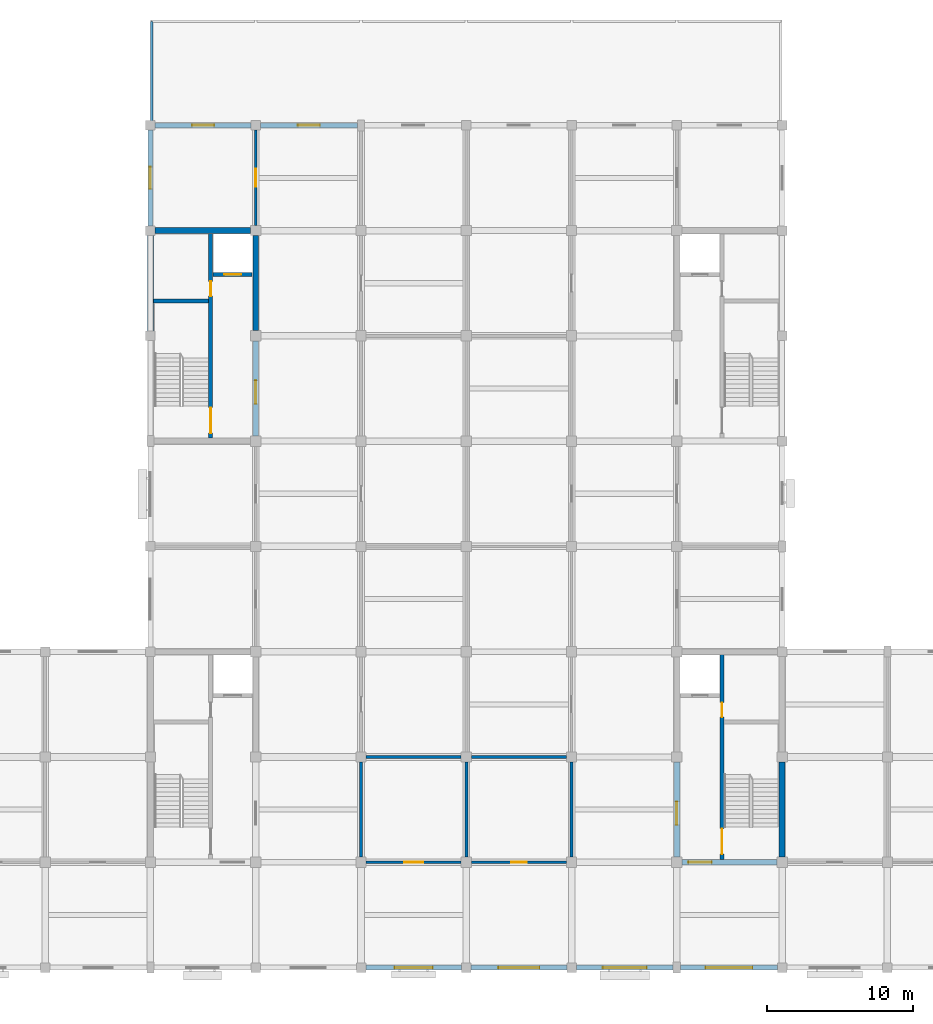
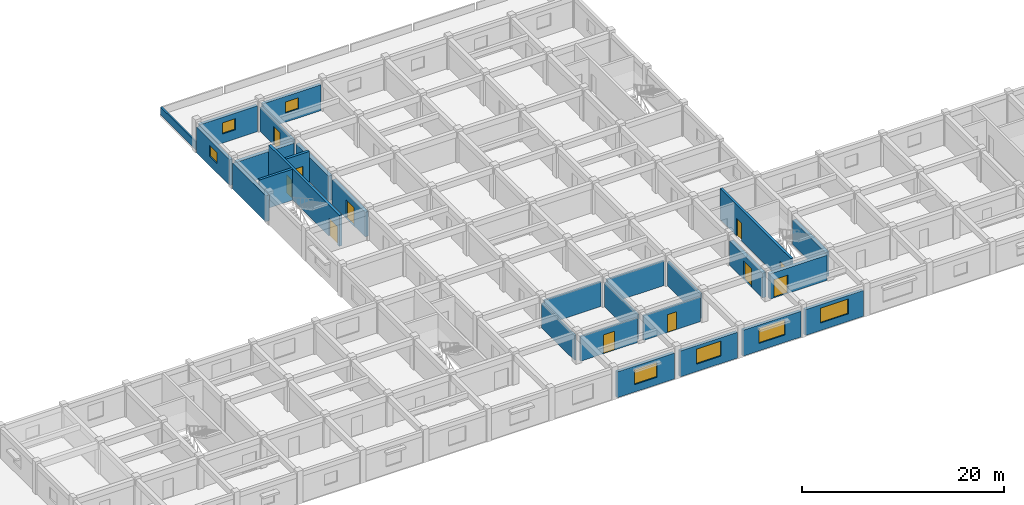
# One storey, part 6 of 16: 27 walls, 11 doors, 7 windows, 18 openings.
"""IFC4 building model written with IfcOpenShell, lengths in metres."""

from ifc_helpers import new_model, si_unit, direction, frame, frame_2d, origin, place, context, subcontext, project, spatial, rectangle, extrude, material, layer, layer_set, type_object, element, fill, save


model = new_model("IFC4")

# Units and contexts
model_context = context("Model", 3, precision=1e-05, world=origin(), true_north=direction((0.0, 1.0)))
body_context = subcontext(model_context, "Body", "Model", "MODEL_VIEW")
ifc_project = project(units=[si_unit("LENGTHUNIT", "METRE"), si_unit("AREAUNIT", "SQUARE_METRE"), si_unit("VOLUMEUNIT", "CUBIC_METRE"), si_unit("PLANEANGLEUNIT", "RADIAN"), si_unit("MASSUNIT", "GRAM", prefix="KILO")], contexts=[model_context])

# Site, building, storey
site_placement = place(None, origin())
site = spatial("IfcSite", under=ifc_project, at=site_placement, CompositionType="ELEMENT")
building_placement = place(site_placement, origin())
building = spatial("IfcBuilding", under=site, at=building_placement, Name="Cendaluz Park School", CompositionType="ELEMENT")
storey_placement = place(building_placement, frame((0.0, 0.0, 22.60009765625)))
storey = spatial("IfcBuildingStorey", under=building, at=storey_placement, Name="L05", CompositionType="ELEMENT", Elevation=22.60009765625)

# Wall, opening, door
ifc_material_1 = material(Name="Gypsum Plasterboard on Cold-Formed Stud", Category="gypsum")
ifc_layer_1 = layer(ifc_material_1, 0.199951171875)
ifc_layer_set_1 = layer_set([ifc_layer_1], Name="Gypsum Plasterboard on Cold-Formed Stud")
wall_type_1 = type_object("IfcWallType", Name="W-AC20", PredefinedType="PARTITIONING", material=ifc_layer_set_1)
wall_1_placement = place(storey_placement, frame((72.0, 57.949951171875, 0.0), z_axis=(0.0, 0.0, 1.0), x_axis=(0.0, 1.0, 0.0)))
wall_1 = element("IfcWall", 1, at=wall_1_placement, inside=storey, type_object=wall_type_1, Name="WL-FF-BS3", PredefinedType="PARTITIONING", context=body_context, shape_type="SweptSolid", body=[
    extrude(rectangle(XDim=6.525146484375, YDim=0.199951171875, at=frame_2d((3.2626953125, 0.0))), origin(), (0.0, 0.0, 1.0), 2.97998046875),
])
opening_1_placement = place(wall_1_placement, frame((2.642578125, 0.0, 0.0)))
opening_1 = element("IfcOpeningElement", 2, at=opening_1_placement, cuts=wall_1, Name="Opening DCL-09", PredefinedType="OPENING", context=body_context, shape_type="SweptSolid", body=[
    extrude(rectangle(XDim=1.239990234375, YDim=2.260009765625, at=frame_2d((0.6201171875, 1.1298828125))), frame((0.0, 0.112060546875, 0.0), z_axis=(0.0, -1.0, 0.0), x_axis=(1.0, 0.0, 0.0)), (0.0, 0.0, 1.0), 0.223876953125),
])
ifc_material_2 = material(Name="Solid Core Hardwood", Category="wood")
door_type_1 = type_object("IfcDoorType", Name="DCL-09", OperationType="NOTDEFINED", PredefinedType="DOOR", material=ifc_material_2)
door_1_placement = place(opening_1_placement, origin())
door_1 = element("IfcDoor", 3, at=door_1_placement, inside=storey, type_object=door_type_1, Name="D-L05-039", OperationType="SINGLE_SWING_LEFT", OverallHeight=2.260009765625, OverallWidth=1.239990234375, PredefinedType="DOOR", context=body_context, shape_type="SweptSolid", body=[
    extrude(rectangle(XDim=1.239990234375, YDim=2.260009765625, at=frame_2d((0.6201171875, 1.1298828125))), frame((0.0, 0.02490234375, 0.0), z_axis=(0.0, -1.0, 0.0), x_axis=(1.0, 0.0, 0.0)), (0.0, 0.0, 1.0), 0.050048828125),
])
fill(opening_1, door_1)

wall_2_placement = place(storey_placement, frame((79.550048828125, 14.39990234375, 0.0), z_axis=(0.0, 0.0, 1.0), x_axis=(1.0, 0.0, 0.0)))
wall_2 = element("IfcWall", 4, at=wall_2_placement, inside=storey, type_object=wall_type_1, Name="WL-FF-BS4", PredefinedType="PARTITIONING", context=body_context, shape_type="SweptSolid", body=[
    extrude(rectangle(XDim=6.5, YDim=0.199951171875, at=frame_2d((3.25, 0.0))), origin(), (0.0, 0.0, 1.0), 2.97998046875),
])
opening_2_placement = place(wall_2_placement, frame((2.610107421875, 0.0, 0.0)))
opening_2 = element("IfcOpeningElement", 5, at=opening_2_placement, cuts=wall_2, Name="Opening DCL-10", PredefinedType="OPENING", context=body_context, shape_type="SweptSolid", body=[
    extrude(rectangle(XDim=1.280029296875, YDim=2.280029296875, at=frame_2d((0.64013671875, 1.14013671875))), frame((0.0, 0.112060546875, 0.0), z_axis=(0.0, -1.0, 0.0), x_axis=(1.0, 0.0, 0.0)), (0.0, 0.0, 1.0), 0.223876953125),
])
door_type_2 = type_object("IfcDoorType", Name="DCL-10", OperationType="NOTDEFINED", PredefinedType="DOOR", material=ifc_material_2)
door_2_placement = place(opening_2_placement, origin())
door_2 = element("IfcDoor", 6, at=door_2_placement, inside=storey, type_object=door_type_2, Name="D-L05-040", OperationType="SINGLE_SWING_RIGHT", OverallHeight=2.280029296875, OverallWidth=1.280029296875, PredefinedType="DOOR", context=body_context, shape_type="SweptSolid", body=[
    extrude(rectangle(XDim=1.280029296875, YDim=2.280029296875, at=frame_2d((0.64013671875, 1.14013671875))), frame((0.0, 0.02490234375, 0.0), z_axis=(0.0, -1.0, 0.0), x_axis=(1.0, 0.0, 0.0)), (0.0, 0.0, 1.0), 0.050048828125),
])
fill(opening_2, door_2)

# Walls
for number, where, z_axis, x_axis, name in (
    (7, (79.550048828125, 21.60009765625, 0.0), (0.0, 0.0, 1.0), (1.0, 0.0, 0.0), "WL-FF-BS5"),
    (8, (79.199951171875, 14.75, 0.0), (0.0, 0.0, 1.0), (0.0, 1.0, 0.0), "WL-FF-BS6"),
    (9, (86.39990234375, 14.75, 0.0), (0.0, 0.0, 1.0), (0.0, 1.0, 0.0), "WL-FF-BS7"),
):
    element("IfcWall", number, at=place(storey_placement, frame(where, z_axis=z_axis, x_axis=x_axis)), inside=storey, type_object=wall_type_1, Name=name, PredefinedType="PARTITIONING", context=body_context, shape_type="SweptSolid", body=[
        extrude(rectangle(XDim=6.5, YDim=0.199951171875, at=frame_2d((3.25, 0.0))), origin(), (0.0, 0.0, 1.0), 2.97998046875),
    ])

# Wall, opening, door
wall_3_placement = place(storey_placement, frame((86.75, 14.39990234375, 0.0), z_axis=(0.0, 0.0, 1.0), x_axis=(1.0, 0.0, 0.0)))
wall_3 = element("IfcWall", 10, at=wall_3_placement, inside=storey, type_object=wall_type_1, Name="WL-FF-BU2", PredefinedType="PARTITIONING", context=body_context, shape_type="SweptSolid", body=[
    extrude(rectangle(XDim=6.5, YDim=0.199951171875, at=frame_2d((3.25, 0.0))), origin(), (0.0, 0.0, 1.0), 2.97998046875),
])
opening_3_placement = place(wall_3_placement, frame((2.719970703125, 0.0, 0.0)))
opening_3 = element("IfcOpeningElement", 11, at=opening_3_placement, cuts=wall_3, Name="Opening DCL-04", PredefinedType="OPENING", context=body_context, shape_type="SweptSolid", body=[
    extrude(rectangle(XDim=1.06005859375, YDim=2.159912109375, at=frame_2d((0.530029296875, 1.080078125))), frame((0.0, 0.112060546875, 0.0), z_axis=(0.0, -1.0, 0.0), x_axis=(1.0, 0.0, 0.0)), (0.0, 0.0, 1.0), 0.223876953125),
])
door_type_3 = type_object("IfcDoorType", Name="DCL-04", OperationType="NOTDEFINED", PredefinedType="DOOR", material=ifc_material_2)
door_3_placement = place(opening_3_placement, origin())
door_3 = element("IfcDoor", 12, at=door_3_placement, inside=storey, type_object=door_type_3, Name="D-L05-044", OperationType="SINGLE_SWING_RIGHT", OverallHeight=2.159912109375, OverallWidth=1.06005859375, PredefinedType="DOOR", context=body_context, shape_type="SweptSolid", body=[
    extrude(rectangle(XDim=1.06005859375, YDim=2.159912109375, at=frame_2d((0.530029296875, 1.080078125))), frame((0.0, 0.02490234375, 0.0), z_axis=(0.0, -1.0, 0.0), x_axis=(1.0, 0.0, 0.0)), (0.0, 0.0, 1.0), 0.050048828125),
])
fill(opening_3, door_3)

# Walls
for number, where, z_axis, x_axis, name in (
    (13, (86.75, 21.60009765625, 0.0), (0.0, 0.0, 1.0), (1.0, 0.0, 0.0), "WL-FF-BU3"),
    (14, (93.60009765625, 14.75, 0.0), (0.0, 0.0, 1.0), (0.0, 1.0, 0.0), "WL-FF-BU4"),
):
    element("IfcWall", number, at=place(storey_placement, frame(where, z_axis=z_axis, x_axis=x_axis)), inside=storey, type_object=wall_type_1, Name=name, PredefinedType="PARTITIONING", context=body_context, shape_type="SweptSolid", body=[
        extrude(rectangle(XDim=6.5, YDim=0.199951171875, at=frame_2d((3.25, 0.0))), origin(), (0.0, 0.0, 1.0), 2.97998046875),
    ])

# Wall, opening, window
ifc_material_3 = material(Name="Concrete C40/50 precast", Category="concrete")
ifc_layer_2 = layer(ifc_material_3, 0.340087890625)
ifc_layer_set_2 = layer_set([ifc_layer_2], Name="Concrete C40/50 precast")
wall_type_2 = type_object("IfcWallType", Name="W-EX34", PredefinedType="SOLIDWALL", material=ifc_layer_set_2)
wall_4_placement = place(storey_placement, frame((65.125, 64.800048828125, 0.0), z_axis=(0.0, 0.0, 1.0), x_axis=(1.0, 0.0, 0.0)))
wall_4 = element("IfcWall", 15, at=wall_4_placement, inside=storey, type_object=wall_type_2, Name="WL-FF-AB7", PredefinedType="SOLIDWALL", context=body_context, shape_type="SweptSolid", body=[
    extrude(rectangle(XDim=6.550048828125, YDim=0.340087890625, at=frame_2d((3.27490234375, 0.0))), origin(), (0.0, 0.0, 1.0), 3.119873046875),
])
opening_4_placement = place(wall_4_placement, frame((2.52490234375, 0.0, 1.10009765625)))
opening_4 = element("IfcOpeningElement", 16, at=opening_4_placement, cuts=wall_4, Name="Opening WN-20", PredefinedType="OPENING", context=body_context, shape_type="SweptSolid", body=[
    extrude(rectangle(XDim=1.5, YDim=1.35009765625, at=frame_2d((0.75, 0.675048828125))), frame((0.0, 0.18212890625, 0.0), z_axis=(0.0, -1.0, 0.0), x_axis=(1.0, 0.0, 0.0)), (0.0, 0.0, 1.0), 0.364013671875),
])
ifc_material_4 = material(Name="Tempered Low-E Double Glazing", Category="glass")
window_type_1 = type_object("IfcWindowType", Name="WN-20", PartitioningType="SINGLE_PANEL", PredefinedType="WINDOW", material=ifc_material_4)
window_1_placement = place(opening_4_placement, origin())
window_1 = element("IfcWindow", 17, at=window_1_placement, inside=storey, type_object=window_type_1, Name="WN-L05-018", OverallHeight=1.35009765625, OverallWidth=1.5, PartitioningType="SINGLE_PANEL", PredefinedType="WINDOW", context=body_context, shape_type="SweptSolid", body=[
    extrude(rectangle(XDim=1.5, YDim=1.35009765625, at=frame_2d((0.75, 0.675048828125))), frame((0.0, 0.030029296875, 0.0), z_axis=(0.0, -1.0, 0.0), x_axis=(1.0, 0.0, 0.0)), (0.0, 0.0, 1.0), 0.06005859375),
])
fill(opening_4, window_1)

wall_5_placement = place(storey_placement, frame((64.800048828125, 57.925048828125, 0.0), z_axis=(0.0, 0.0, 1.0), x_axis=(0.0, 1.0, 0.0)))
wall_5 = element("IfcWall", 18, at=wall_5_placement, inside=storey, type_object=wall_type_2, Name="WL-FF-AB8", PredefinedType="SOLIDWALL", context=body_context, shape_type="SweptSolid", body=[
    extrude(rectangle(XDim=6.550048828125, YDim=0.340087890625, at=frame_2d((3.27490234375, 0.0))), origin(), (0.0, 0.0, 1.0), 3.119873046875),
])
opening_5_placement = place(wall_5_placement, frame((2.52490234375, 0.0, 1.10009765625)))
opening_5 = element("IfcOpeningElement", 19, at=opening_5_placement, cuts=wall_5, Name="Opening WN-20", PredefinedType="OPENING", context=body_context, shape_type="SweptSolid", body=[
    extrude(rectangle(XDim=1.5, YDim=1.35009765625, at=frame_2d((0.75, 0.675048828125))), frame((0.0, 0.18212890625, 0.0), z_axis=(0.0, -1.0, 0.0), x_axis=(1.0, 0.0, 0.0)), (0.0, 0.0, 1.0), 0.364013671875),
])
window_2_placement = place(opening_5_placement, origin())
window_2 = element("IfcWindow", 20, at=window_2_placement, inside=storey, type_object=window_type_1, Name="WN-L05-019", OverallHeight=1.35009765625, OverallWidth=1.5, PartitioningType="SINGLE_PANEL", PredefinedType="WINDOW", context=body_context, shape_type="SweptSolid", body=[
    extrude(rectangle(XDim=1.5, YDim=1.35009765625, at=frame_2d((0.75, 0.675048828125))), frame((0.0, 0.030029296875, 0.0), z_axis=(0.0, -1.0, 0.0), x_axis=(1.0, 0.0, 0.0)), (0.0, 0.0, 1.0), 0.06005859375),
])
fill(opening_5, window_2)

wall_6_placement = place(storey_placement, frame((72.324951171875, 64.800048828125, 0.0), z_axis=(0.0, 0.0, 1.0), x_axis=(1.0, 0.0, 0.0)))
wall_6 = element("IfcWall", 21, at=wall_6_placement, inside=storey, type_object=wall_type_2, Name="WL-FF-AC0", PredefinedType="SOLIDWALL", context=body_context, shape_type="SweptSolid", body=[
    extrude(rectangle(XDim=6.625, YDim=0.340087890625, at=frame_2d((3.3125, 0.0))), origin(), (0.0, 0.0, 1.0), 3.119873046875),
])
opening_6_placement = place(wall_6_placement, frame((2.5625, 0.0, 1.10009765625)))
opening_6 = element("IfcOpeningElement", 22, at=opening_6_placement, cuts=wall_6, Name="Opening WN-20", PredefinedType="OPENING", context=body_context, shape_type="SweptSolid", body=[
    extrude(rectangle(XDim=1.5, YDim=1.35009765625, at=frame_2d((0.75, 0.675048828125))), frame((0.0, 0.18212890625, 0.0), z_axis=(0.0, -1.0, 0.0), x_axis=(1.0, 0.0, 0.0)), (0.0, 0.0, 1.0), 0.364013671875),
])
window_3_placement = place(opening_6_placement, origin())
window_3 = element("IfcWindow", 23, at=window_3_placement, inside=storey, type_object=window_type_1, Name="WN-L05-021", OverallHeight=1.35009765625, OverallWidth=1.5, PartitioningType="SINGLE_PANEL", PredefinedType="WINDOW", context=body_context, shape_type="SweptSolid", body=[
    extrude(rectangle(XDim=1.5, YDim=1.35009765625, at=frame_2d((0.75, 0.675048828125))), frame((0.0, 0.030029296875, 0.0), z_axis=(0.0, -1.0, 0.0), x_axis=(1.0, 0.0, 0.0)), (0.0, 0.0, 1.0), 0.06005859375),
])
fill(opening_6, window_3)

wall_7_placement = place(storey_placement, frame((79.52490234375, 7.199951171875, 0.0), z_axis=(0.0, 0.0, 1.0), x_axis=(1.0, 0.0, 0.0)))
wall_7 = element("IfcWall", 24, at=wall_7_placement, inside=storey, type_object=wall_type_2, Name="WL-FF-AC1", PredefinedType="SOLIDWALL", context=body_context, shape_type="SweptSolid", body=[
    extrude(rectangle(XDim=6.550048828125, YDim=0.340087890625, at=frame_2d((3.27490234375, 0.0))), origin(), (0.0, 0.0, 1.0), 3.119873046875),
])
opening_7_placement = place(wall_7_placement, frame((1.97509765625, 0.0, 0.89990234375)))
opening_7 = element("IfcOpeningElement", 25, at=opening_7_placement, cuts=wall_7, Name="Opening WN-05", PredefinedType="OPENING", context=body_context, shape_type="SweptSolid", body=[
    extrude(rectangle(XDim=2.60009765625, YDim=1.800048828125, at=frame_2d((1.300048828125, 0.89990234375))), frame((0.0, 0.18212890625, 0.0), z_axis=(0.0, -1.0, 0.0), x_axis=(1.0, 0.0, 0.0)), (0.0, 0.0, 1.0), 0.364013671875),
])
window_type_2 = type_object("IfcWindowType", Name="WN-05", PartitioningType="SINGLE_PANEL", PredefinedType="WINDOW", material=ifc_material_4)
window_4_placement = place(opening_7_placement, origin())
window_4 = element("IfcWindow", 26, at=window_4_placement, inside=storey, type_object=window_type_2, Name="WN-L05-022", OverallHeight=1.800048828125, OverallWidth=2.60009765625, PartitioningType="SINGLE_PANEL", PredefinedType="WINDOW", context=body_context, shape_type="SweptSolid", body=[
    extrude(rectangle(XDim=2.60009765625, YDim=1.800048828125, at=frame_2d((1.300048828125, 0.89990234375))), frame((0.0, 0.030029296875, 0.0), z_axis=(0.0, -1.0, 0.0), x_axis=(1.0, 0.0, 0.0)), (0.0, 0.0, 1.0), 0.06005859375),
])
fill(opening_7, window_4)

wall_8_placement = place(storey_placement, frame((86.72509765625, 7.199951171875, 0.0), z_axis=(0.0, 0.0, 1.0), x_axis=(1.0, 0.0, 0.0)))
wall_8 = element("IfcWall", 27, at=wall_8_placement, inside=storey, type_object=wall_type_2, Name="WL-FF-AC3", PredefinedType="SOLIDWALL", context=body_context, shape_type="SweptSolid", body=[
    extrude(rectangle(XDim=6.5498046875, YDim=0.340087890625, at=frame_2d((3.27490234375, 0.0))), origin(), (0.0, 0.0, 1.0), 3.119873046875),
])
opening_8_placement = place(wall_8_placement, frame((1.875, 0.0, 0.89990234375)))
opening_8 = element("IfcOpeningElement", 28, at=opening_8_placement, cuts=wall_8, Name="Opening WN-06", PredefinedType="OPENING", context=body_context, shape_type="SweptSolid", body=[
    extrude(rectangle(XDim=2.800048828125, YDim=1.800048828125, at=frame_2d((1.39990234375, 0.89990234375))), frame((0.0, 0.18212890625, 0.0), z_axis=(0.0, -1.0, 0.0), x_axis=(1.0, 0.0, 0.0)), (0.0, 0.0, 1.0), 0.364013671875),
])
window_type_3 = type_object("IfcWindowType", Name="WN-06", PartitioningType="SINGLE_PANEL", PredefinedType="WINDOW", material=ifc_material_4)
window_5_placement = place(opening_8_placement, origin())
window_5 = element("IfcWindow", 29, at=window_5_placement, inside=storey, type_object=window_type_3, Name="WN-L05-024", OverallHeight=1.800048828125, OverallWidth=2.800048828125, PartitioningType="SINGLE_PANEL", PredefinedType="WINDOW", context=body_context, shape_type="SweptSolid", body=[
    extrude(rectangle(XDim=2.800048828125, YDim=1.800048828125, at=frame_2d((1.39990234375, 0.89990234375))), frame((0.0, 0.030029296875, 0.0), z_axis=(0.0, -1.0, 0.0), x_axis=(1.0, 0.0, 0.0)), (0.0, 0.0, 1.0), 0.06005859375),
])
fill(opening_8, window_5)

wall_9_placement = place(storey_placement, frame((93.925048828125, 7.199951171875, 0.0), z_axis=(0.0, 0.0, 1.0), x_axis=(1.0, 0.0, 0.0)))
wall_9 = element("IfcWall", 30, at=wall_9_placement, inside=storey, type_object=wall_type_2, Name="WL-FF-AC5", PredefinedType="SOLIDWALL", context=body_context, shape_type="SweptSolid", body=[
    extrude(rectangle(XDim=6.625, YDim=0.340087890625, at=frame_2d((3.3125, 0.0))), origin(), (0.0, 0.0, 1.0), 3.119873046875),
])
opening_9_placement = place(wall_9_placement, frame((1.8125, 0.0, 0.89990234375)))
opening_9 = element("IfcOpeningElement", 31, at=opening_9_placement, cuts=wall_9, Name="Opening WN-07", PredefinedType="OPENING", context=body_context, shape_type="SweptSolid", body=[
    extrude(rectangle(XDim=3.0, YDim=1.800048828125, at=frame_2d((1.5, 0.89990234375))), frame((0.0, 0.18212890625, 0.0), z_axis=(0.0, -1.0, 0.0), x_axis=(1.0, 0.0, 0.0)), (0.0, 0.0, 1.0), 0.364013671875),
])
window_type_4 = type_object("IfcWindowType", Name="WN-07", PartitioningType="SINGLE_PANEL", PredefinedType="WINDOW", material=ifc_material_4)
window_6_placement = place(opening_9_placement, origin())
window_6 = element("IfcWindow", 32, at=window_6_placement, inside=storey, type_object=window_type_4, Name="WN-L05-026", OverallHeight=1.800048828125, OverallWidth=3.0, PartitioningType="SINGLE_PANEL", PredefinedType="WINDOW", context=body_context, shape_type="SweptSolid", body=[
    extrude(rectangle(XDim=3.0, YDim=1.800048828125, at=frame_2d((1.5, 0.89990234375))), frame((0.0, 0.030029296875, 0.0), z_axis=(0.0, -1.0, 0.0), x_axis=(1.0, 0.0, 0.0)), (0.0, 0.0, 1.0), 0.06005859375),
])
fill(opening_9, window_6)

wall_10_placement = place(storey_placement, frame((101.050048828125, 7.199951171875, 0.0), z_axis=(0.0, 0.0, 1.0), x_axis=(1.0, 0.0, 0.0)))
wall_10 = element("IfcWall", 33, at=wall_10_placement, inside=storey, type_object=wall_type_2, Name="WL-FF-AC7", PredefinedType="SOLIDWALL", context=body_context, shape_type="SweptSolid", body=[
    extrude(rectangle(XDim=6.625, YDim=0.340087890625, at=frame_2d((3.3125, 0.0))), origin(), (0.0, 0.0, 1.0), 3.119873046875),
])
opening_10_placement = place(wall_10_placement, frame((1.71240234375, 0.0, 0.89990234375)))
opening_10 = element("IfcOpeningElement", 34, at=opening_10_placement, cuts=wall_10, Name="Opening WN-08", PredefinedType="OPENING", context=body_context, shape_type="SweptSolid", body=[
    extrude(rectangle(XDim=3.199951171875, YDim=1.800048828125, at=frame_2d((1.60009765625, 0.89990234375))), frame((0.0, 0.18212890625, 0.0), z_axis=(0.0, -1.0, 0.0), x_axis=(1.0, 0.0, 0.0)), (0.0, 0.0, 1.0), 0.364013671875),
])
window_type_5 = type_object("IfcWindowType", Name="WN-08", PartitioningType="SINGLE_PANEL", PredefinedType="WINDOW", material=ifc_material_4)
window_7_placement = place(opening_10_placement, origin())
window_7 = element("IfcWindow", 35, at=window_7_placement, inside=storey, type_object=window_type_5, Name="WN-L05-028", OverallHeight=1.800048828125, OverallWidth=3.199951171875, PartitioningType="SINGLE_PANEL", PredefinedType="WINDOW", context=body_context, shape_type="SweptSolid", body=[
    extrude(rectangle(XDim=3.199951171875, YDim=1.800048828125, at=frame_2d((1.60009765625, 0.89990234375))), frame((0.0, 0.030029296875, 0.0), z_axis=(0.0, -1.0, 0.0), x_axis=(1.0, 0.0, 0.0)), (0.0, 0.0, 1.0), 0.06005859375),
])
fill(opening_10, window_7)

# Wall, openings, doors
ifc_material_5 = material(Name="Concrete C40/50", Category="concrete")
ifc_layer_3 = layer(ifc_material_5, 0.280029296875)
ifc_layer_set_3 = layer_set([ifc_layer_3], Name="Concrete C40/50")
wall_type_3 = type_object("IfcWallType", Name="W-FW28", PredefinedType="SHEAR", material=ifc_layer_set_3)
wall_11_placement = place(storey_placement, frame((103.8798828125, 14.60009765625, 0.0), z_axis=(0.0, 0.0, 1.0), x_axis=(0.0, 1.0, 0.0)))
wall_11 = element("IfcWall", 36, at=wall_11_placement, inside=storey, type_object=wall_type_3, Name="WL-FF-BL9", PredefinedType="SHEAR", context=body_context, shape_type="SweptSolid", body=[
    extrude(rectangle(XDim=14.0, YDim=0.280029296875, at=frame_2d((7.0, 0.0))), origin(), (0.0, 0.0, 1.0), 3.75),
])
opening_11_placement = place(wall_11_placement, frame((0.35009765625, 0.0, 0.0)))
opening_11 = element("IfcOpeningElement", 37, at=opening_11_placement, cuts=wall_11, Name="Opening DST-03", PredefinedType="OPENING", context=body_context, shape_type="SweptSolid", body=[
    extrude(rectangle(XDim=1.75, YDim=2.14990234375, at=frame_2d((0.875, 1.074951171875))), frame((0.0, 0.152099609375, 0.0), z_axis=(0.0, -1.0, 0.0), x_axis=(1.0, 0.0, 0.0)), (0.0, 0.0, 1.0), 0.303955078125),
])
opening_12_placement = place(wall_11_placement, frame((9.719970703125, 0.0, 0.0)))
opening_12 = element("IfcOpeningElement", 38, at=opening_12_placement, cuts=wall_11, Name="Opening DFC-01", PredefinedType="OPENING", context=body_context, shape_type="SweptSolid", body=[
    extrude(rectangle(XDim=1.0, YDim=2.14990234375, at=frame_2d((0.5, 1.074951171875))), frame((0.0, 0.152099609375, 0.0), z_axis=(0.0, -1.0, 0.0), x_axis=(1.0, 0.0, 0.0)), (0.0, 0.0, 1.0), 0.303955078125),
])
door_type_4 = type_object("IfcDoorType", Name="DFC-01", OperationType="NOTDEFINED", PredefinedType="DOOR", material=ifc_material_2)
door_4_placement = place(opening_12_placement, frame((1.0, 0.0, 0.0), z_axis=(0.0, 0.0, 1.0), x_axis=(-1.0, 0.0, 0.0)))
door_4 = element("IfcDoor", 39, at=door_4_placement, inside=storey, type_object=door_type_4, Name="D-L05-009", OperationType="SINGLE_SWING_LEFT", OverallHeight=2.14990234375, OverallWidth=1.0, PredefinedType="DOOR", context=body_context, shape_type="SweptSolid", body=[
    extrude(rectangle(XDim=1.0, YDim=2.14990234375, at=frame_2d((0.5, 1.074951171875))), frame((0.0, 0.02490234375, 0.0), z_axis=(0.0, -1.0, 0.0), x_axis=(1.0, 0.0, 0.0)), (0.0, 0.0, 1.0), 0.050048828125),
])
fill(opening_12, door_4)
door_type_5 = type_object("IfcDoorType", Name="DST-03", OperationType="DOUBLE_DOOR_SINGLE_SWING", PredefinedType="DOOR", material=ifc_material_2)
door_5_placement = place(opening_11_placement, frame((1.75, 0.0, 0.0), z_axis=(0.0, 0.0, 1.0), x_axis=(-1.0, 0.0, 0.0)))
door_5 = element("IfcDoor", 40, at=door_5_placement, inside=storey, type_object=door_type_5, Name="D-L05-008", OperationType="DOUBLE_DOOR_SINGLE_SWING", OverallHeight=2.14990234375, OverallWidth=1.75, PredefinedType="DOOR", context=body_context, shape_type="SweptSolid", body=[
    extrude(rectangle(XDim=1.75, YDim=2.14990234375, at=frame_2d((0.875, 1.074951171875))), frame((0.0, 0.02490234375, 0.0), z_axis=(0.0, -1.0, 0.0), x_axis=(1.0, 0.0, 0.0)), (0.0, 0.0, 1.0), 0.050048828125),
])
fill(opening_11, door_5)

wall_12_placement = place(storey_placement, frame((68.919921875, 43.39990234375, 0.0), z_axis=(0.0, 0.0, 1.0), x_axis=(0.0, 1.0, 0.0)))
wall_12 = element("IfcWall", 41, at=wall_12_placement, inside=storey, type_object=wall_type_3, Name="WL-FF-BM8", PredefinedType="SHEAR", context=body_context, shape_type="SweptSolid", body=[
    extrude(rectangle(XDim=14.0, YDim=0.280029296875, at=frame_2d((7.0, 0.0))), origin(), (0.0, 0.0, 1.0), 3.75),
])
opening_13_placement = place(wall_12_placement, frame((0.35009765625, 0.0, 0.0)))
opening_13 = element("IfcOpeningElement", 42, at=opening_13_placement, cuts=wall_12, Name="Opening DST-03", PredefinedType="OPENING", context=body_context, shape_type="SweptSolid", body=[
    extrude(rectangle(XDim=1.75, YDim=2.14990234375, at=frame_2d((0.875, 1.074951171875))), frame((0.0, 0.152099609375, 0.0), z_axis=(0.0, -1.0, 0.0), x_axis=(1.0, 0.0, 0.0)), (0.0, 0.0, 1.0), 0.303955078125),
])
opening_14_placement = place(wall_12_placement, frame((9.719970703125, 0.0, 0.0)))
opening_14 = element("IfcOpeningElement", 43, at=opening_14_placement, cuts=wall_12, Name="Opening DFC-01", PredefinedType="OPENING", context=body_context, shape_type="SweptSolid", body=[
    extrude(rectangle(XDim=1.0, YDim=2.14990234375, at=frame_2d((0.5, 1.074951171875))), frame((0.0, 0.152099609375, 0.0), z_axis=(0.0, -1.0, 0.0), x_axis=(1.0, 0.0, 0.0)), (0.0, 0.0, 1.0), 0.303955078125),
])
door_6_placement = place(opening_14_placement, origin())
door_6 = element("IfcDoor", 44, at=door_6_placement, inside=storey, type_object=door_type_4, Name="D-L05-013", OperationType="SINGLE_SWING_LEFT", OverallHeight=2.14990234375, OverallWidth=1.0, PredefinedType="DOOR", context=body_context, shape_type="SweptSolid", body=[
    extrude(rectangle(XDim=1.0, YDim=2.14990234375, at=frame_2d((0.5, 1.074951171875))), frame((0.0, 0.02490234375, 0.0), z_axis=(0.0, -1.0, 0.0), x_axis=(1.0, 0.0, 0.0)), (0.0, 0.0, 1.0), 0.050048828125),
])
fill(opening_14, door_6)
door_7_placement = place(opening_13_placement, origin())
door_7 = element("IfcDoor", 45, at=door_7_placement, inside=storey, type_object=door_type_5, Name="D-L05-012", OperationType="DOUBLE_DOOR_SINGLE_SWING", OverallHeight=2.14990234375, OverallWidth=1.75, PredefinedType="DOOR", context=body_context, shape_type="SweptSolid", body=[
    extrude(rectangle(XDim=1.75, YDim=2.14990234375, at=frame_2d((0.875, 1.074951171875))), frame((0.0, 0.02490234375, 0.0), z_axis=(0.0, -1.0, 0.0), x_axis=(1.0, 0.0, 0.0)), (0.0, 0.0, 1.0), 0.050048828125),
])
fill(opening_13, door_7)

# Wall
wall_13_placement = place(storey_placement, frame((65.0, 52.780029296875, 0.0), z_axis=(0.0, 0.0, 1.0), x_axis=(1.0, 0.0, 0.0)))
element("IfcWall", 46, at=wall_13_placement, inside=storey, type_object=wall_type_3, Name="WL-FF-BM9", PredefinedType="SHEAR", context=body_context, shape_type="SweptSolid", body=[
    extrude(rectangle(XDim=3.780029296875, YDim=0.280029296875, at=frame_2d((1.89013671875, 0.0))), origin(), (0.0, 0.0, 1.0), 3.75),
])

# Wall, opening, door
wall_14_placement = place(storey_placement, frame((69.080078125, 54.60009765625, 0.0), z_axis=(0.0, 0.0, 1.0), x_axis=(1.0, 0.0, 0.0)))
wall_14 = element("IfcWall", 47, at=wall_14_placement, inside=storey, type_object=wall_type_3, Name="WL-FF-BN0", PredefinedType="SHEAR", context=body_context, shape_type="SweptSolid", body=[
    extrude(rectangle(XDim=2.679931640625, YDim=0.280029296875, at=frame_2d((1.33984375, 0.0))), origin(), (0.0, 0.0, 1.0), 3.75),
])
opening_15_placement = place(wall_14_placement, frame((0.764892578125, 0.0, 0.0)))
opening_15 = element("IfcOpeningElement", 48, at=opening_15_placement, cuts=wall_14, Name="Opening LD-01", PredefinedType="OPENING", context=body_context, shape_type="SweptSolid", body=[
    extrude(rectangle(XDim=1.14990234375, YDim=2.199951171875, at=frame_2d((0.574951171875, 1.10009765625))), frame((0.0, 0.152099609375, 0.0), z_axis=(0.0, -1.0, 0.0), x_axis=(1.0, 0.0, 0.0)), (0.0, 0.0, 1.0), 0.303955078125),
])
ifc_material_6 = material(Name="Stainless Steel 316L", Category="steel")
door_type_6 = type_object("IfcDoorType", Name="LD-01", OperationType="DOUBLE_DOOR_SLIDING", PredefinedType="DOOR", material=ifc_material_6)
door_8_placement = place(opening_15_placement, frame((1.14990234375, 0.0, 0.0), z_axis=(0.0, 0.0, 1.0), x_axis=(-1.0, 0.0, 0.0)))
door_8 = element("IfcDoor", 49, at=door_8_placement, inside=storey, type_object=door_type_6, Name="D-L05-014", OperationType="DOUBLE_DOOR_SLIDING", OverallHeight=2.199951171875, OverallWidth=1.14990234375, PredefinedType="DOOR", context=body_context, shape_type="SweptSolid", body=[
    extrude(rectangle(XDim=1.14990234375, YDim=2.199951171875, at=frame_2d((0.574951171875, 1.10009765625))), frame((0.0, 0.02490234375, 0.0), z_axis=(0.0, -1.0, 0.0), x_axis=(1.0, 0.0, 0.0)), (0.0, 0.0, 1.0), 0.050048828125),
])
fill(opening_15, door_8)

# Wall
ifc_layer_4 = layer(ifc_material_3, 0.179931640625)
ifc_layer_set_4 = layer_set([ifc_layer_4], Name="Concrete C40/50 precast")
wall_type_4 = type_object("IfcWallType", Name="W-PR18", PredefinedType="PARAPET", material=ifc_layer_set_4)
wall_15_placement = place(storey_placement, frame((64.889892578125, 64.889892578125, 0.0), z_axis=(0.0, 0.0, 1.0), x_axis=(0.0, 1.0, 0.0)))
element("IfcWall", 50, at=wall_15_placement, inside=storey, type_object=wall_type_4, Name="WL-FF-AF2", PredefinedType="PARAPET", context=body_context, shape_type="SweptSolid", body=[
    extrude(rectangle(XDim=7.02001953125, YDim=0.179931640625, at=frame_2d((3.510009765625, 0.0))), origin(), (0.0, 0.0, 1.0), 0.949951171875),
])

# Wall, opening, door
ifc_layer_5 = layer(ifc_material_5, 0.39990234375)
ifc_layer_set_5 = layer_set([ifc_layer_5], Name="Concrete C40/50")
wall_type_5 = type_object("IfcWallType", Name="W-SH40", PredefinedType="SHEAR", material=ifc_layer_set_5)
wall_16_placement = place(storey_placement, frame((100.800048828125, 14.75, 0.0), z_axis=(0.0, 0.0, 1.0), x_axis=(0.0, 1.0, 0.0)))
wall_16 = element("IfcWall", 51, at=wall_16_placement, inside=storey, type_object=wall_type_5, Name="WL-FF-BL3", PredefinedType="SHEAR", context=body_context, shape_type="SweptSolid", body=[
    extrude(rectangle(XDim=6.5, YDim=0.39990234375, at=frame_2d((3.25, 0.0))), origin(), (0.0, 0.0, 1.0), 2.97998046875),
])
opening_16_placement = place(wall_16_placement, frame((2.199951171875, 0.0, 0.0)))
opening_16 = element("IfcOpeningElement", 52, at=opening_16_placement, cuts=wall_16, Name="Opening DLB-01", PredefinedType="OPENING", context=body_context, shape_type="SweptSolid", body=[
    extrude(rectangle(XDim=1.60009765625, YDim=2.199951171875, at=frame_2d((0.800048828125, 1.10009765625))), frame((0.0, 0.2119140625, 0.0), z_axis=(0.0, -1.0, 0.0), x_axis=(1.0, 0.0, 0.0)), (0.0, 0.0, 1.0), 0.423828125),
])
door_type_7 = type_object("IfcDoorType", Name="DLB-01", OperationType="DOUBLE_DOOR_SINGLE_SWING", PredefinedType="DOOR", material=ifc_material_2)
door_9_placement = place(opening_16_placement, frame((1.60009765625, 0.0, 0.0), z_axis=(0.0, 0.0, 1.0), x_axis=(-1.0, 0.0, 0.0)))
door_9 = element("IfcDoor", 53, at=door_9_placement, inside=storey, type_object=door_type_7, Name="D-L05-006", OperationType="DOUBLE_DOOR_SINGLE_SWING", OverallHeight=2.199951171875, OverallWidth=1.60009765625, PredefinedType="DOOR", context=body_context, shape_type="SweptSolid", body=[
    extrude(rectangle(XDim=1.60009765625, YDim=2.199951171875, at=frame_2d((0.800048828125, 1.10009765625))), frame((0.0, 0.02490234375, 0.0), z_axis=(0.0, -1.0, 0.0), x_axis=(1.0, 0.0, 0.0)), (0.0, 0.0, 1.0), 0.050048828125),
])
fill(opening_16, door_9)

# Wall
wall_17_placement = place(storey_placement, frame((108.0, 14.75, 0.0), z_axis=(0.0, 0.0, 1.0), x_axis=(0.0, 1.0, 0.0)))
element("IfcWall", 54, at=wall_17_placement, inside=storey, type_object=wall_type_5, Name="WL-FF-BL5", PredefinedType="SHEAR", context=body_context, shape_type="SweptSolid", body=[
    extrude(rectangle(XDim=6.5, YDim=0.39990234375, at=frame_2d((3.25, 0.0))), origin(), (0.0, 0.0, 1.0), 2.97998046875),
])

# Wall, opening, door
wall_18_placement = place(storey_placement, frame((101.14990234375, 14.39990234375, 0.0), z_axis=(0.0, 0.0, 1.0), x_axis=(1.0, 0.0, 0.0)))
wall_18 = element("IfcWall", 55, at=wall_18_placement, inside=storey, type_object=wall_type_5, Name="WL-FF-BL7", PredefinedType="SHEAR", context=body_context, shape_type="SweptSolid", body=[
    extrude(rectangle(XDim=6.5, YDim=0.39990234375, at=frame_2d((3.25, 0.0))), origin(), (0.0, 0.0, 1.0), 3.0498046875),
])
opening_17_placement = place(wall_18_placement, frame((0.429931640625, 0.0, 0.0)))
opening_17 = element("IfcOpeningElement", 56, at=opening_17_placement, cuts=wall_18, Name="Opening DLB-01", PredefinedType="OPENING", context=body_context, shape_type="SweptSolid", body=[
    extrude(rectangle(XDim=1.60009765625, YDim=2.199951171875, at=frame_2d((0.800048828125, 1.10009765625))), frame((0.0, 0.2119140625, 0.0), z_axis=(0.0, -1.0, 0.0), x_axis=(1.0, 0.0, 0.0)), (0.0, 0.0, 1.0), 0.423828125),
])
door_10_placement = place(opening_17_placement, origin())
door_10 = element("IfcDoor", 57, at=door_10_placement, inside=storey, type_object=door_type_7, Name="D-L05-007", OperationType="DOUBLE_DOOR_SINGLE_SWING", OverallHeight=2.199951171875, OverallWidth=1.60009765625, PredefinedType="DOOR", context=body_context, shape_type="SweptSolid", body=[
    extrude(rectangle(XDim=1.60009765625, YDim=2.199951171875, at=frame_2d((0.800048828125, 1.10009765625))), frame((0.0, 0.02490234375, 0.0), z_axis=(0.0, -1.0, 0.0), x_axis=(1.0, 0.0, 0.0)), (0.0, 0.0, 1.0), 0.050048828125),
])
fill(opening_17, door_10)

# Wall
wall_19_placement = place(storey_placement, frame((64.800048828125, 50.72509765625, 0.0), z_axis=(0.0, 0.0, 1.0), x_axis=(0.0, 1.0, 0.0)))
element("IfcWall", 58, at=wall_19_placement, inside=storey, type_object=wall_type_5, Name="WL-FF-BM3", PredefinedType="SHEAR", context=body_context, shape_type="SweptSolid", body=[
    extrude(rectangle(XDim=6.5498046875, YDim=0.39990234375, at=frame_2d((3.27490234375, 0.0))), origin(), (0.0, 0.0, 1.0), 3.119873046875),
])

# Wall, opening, door
wall_20_placement = place(storey_placement, frame((72.0, 43.550048828125, 0.0), z_axis=(0.0, 0.0, 1.0), x_axis=(0.0, 1.0, 0.0)))
wall_20 = element("IfcWall", 59, at=wall_20_placement, inside=storey, type_object=wall_type_5, Name="WL-FF-BM4", PredefinedType="SHEAR", context=body_context, shape_type="SweptSolid", body=[
    extrude(rectangle(XDim=6.5, YDim=0.39990234375, at=frame_2d((3.25, 0.0))), origin(), (0.0, 0.0, 1.0), 2.97998046875),
])
opening_18_placement = place(wall_20_placement, frame((2.199951171875, 0.0, 0.0)))
opening_18 = element("IfcOpeningElement", 60, at=opening_18_placement, cuts=wall_20, Name="Opening DLB-01", PredefinedType="OPENING", context=body_context, shape_type="SweptSolid", body=[
    extrude(rectangle(XDim=1.60009765625, YDim=2.199951171875, at=frame_2d((0.800048828125, 1.10009765625))), frame((0.0, 0.2119140625, 0.0), z_axis=(0.0, -1.0, 0.0), x_axis=(1.0, 0.0, 0.0)), (0.0, 0.0, 1.0), 0.423828125),
])
door_11_placement = place(opening_18_placement, origin())
door_11 = element("IfcDoor", 61, at=door_11_placement, inside=storey, type_object=door_type_7, Name="D-L05-011", OperationType="DOUBLE_DOOR_SINGLE_SWING", OverallHeight=2.199951171875, OverallWidth=1.60009765625, PredefinedType="DOOR", context=body_context, shape_type="SweptSolid", body=[
    extrude(rectangle(XDim=1.60009765625, YDim=2.199951171875, at=frame_2d((0.800048828125, 1.10009765625))), frame((0.0, 0.02490234375, 0.0), z_axis=(0.0, -1.0, 0.0), x_axis=(1.0, 0.0, 0.0)), (0.0, 0.0, 1.0), 0.050048828125),
])
fill(opening_18, door_11)

# Walls
wall_21_placement = place(storey_placement, frame((72.0, 50.75, 0.0), z_axis=(0.0, 0.0, 1.0), x_axis=(0.0, 1.0, 0.0)))
element("IfcWall", 62, at=wall_21_placement, inside=storey, type_object=wall_type_5, Name="WL-FF-BM5", PredefinedType="SHEAR", context=body_context, shape_type="SweptSolid", body=[
    extrude(rectangle(XDim=6.5, YDim=0.39990234375, at=frame_2d((3.25, 0.0))), origin(), (0.0, 0.0, 1.0), 2.97998046875),
])
wall_22_placement = place(storey_placement, frame((65.125, 57.60009765625, 0.0), z_axis=(0.0, 0.0, 1.0), x_axis=(1.0, 0.0, 0.0)))
element("IfcWall", 63, at=wall_22_placement, inside=storey, type_object=wall_type_5, Name="WL-FF-BM7", PredefinedType="SHEAR", context=body_context, shape_type="SweptSolid", body=[
    extrude(rectangle(XDim=6.52490234375, YDim=0.39990234375, at=frame_2d((3.262451171875, 0.0))), origin(), (0.0, 0.0, 1.0), 2.97998046875),
])

save(model, "model.ifc")
